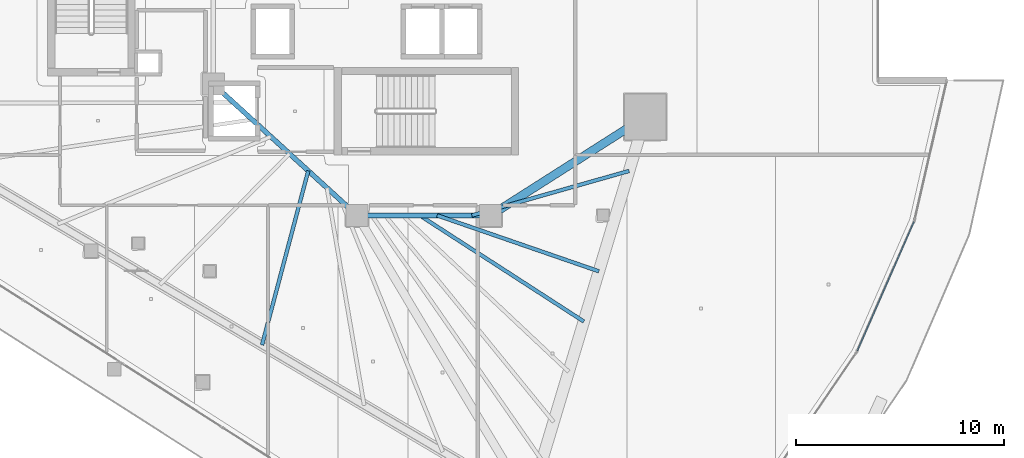
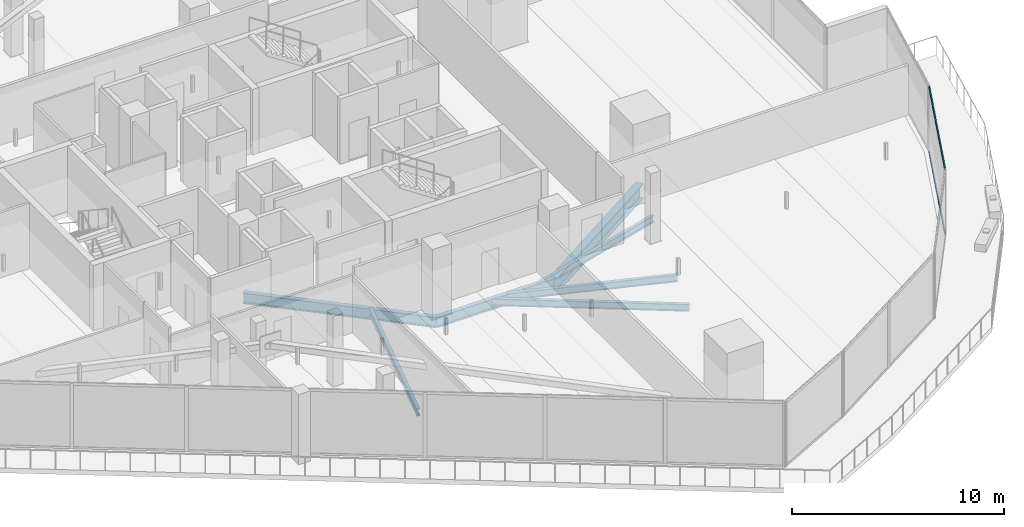
# One storey, part 11 of 45: 7 beams, 2 members, 1 element without a shape of its own.
"""IFC4 building model written with IfcOpenShell, lengths in metres."""

import ifcopenshell
import ifcopenshell.guid

model = None  # the IFC model being written
_history = None  # IfcOwnerHistory: only IFC2X3 demands one
_inside = {}  # id of a spatial element -> (the spatial element, [elements in it])
_under = {}  # id of a project, library or spatial element -> (it, [spatial elements below it])
_declared = {}  # id of a project -> (the project, [libraries it declares])
_typed = {}  # id of a type object -> (the type object, [elements of that type])
_made_of = {}  # id of a material, layer set ... -> (it, [elements and type objects made of it])


def new_model(schema):
    """Start an empty IFC model of exactly this schema.

    Asked for "IFC4X3", IfcOpenShell would pick the latest addendum, in which some entities
    have other attributes; the version numbers below select the first issue.
    IFC2X3 requires an IfcOwnerHistory on every rooted entity: one is made here for all.
    """
    global model, _history
    if schema == "IFC4X3":
        model = ifcopenshell.file(schema_version=(4, 3, 0, 0))
    else:
        model = ifcopenshell.file(schema=schema)
    _inside.clear()
    _under.clear()
    _declared.clear()
    _typed.clear()
    _made_of.clear()
    _history = None
    if model.schema == "IFC2X3":
        org = make("IfcOrganization", Name="unknown")
        user = make(
            "IfcPersonAndOrganization",
            ThePerson=make("IfcPerson", FamilyName="unknown"),
            TheOrganization=org,
        )
        app = make(
            "IfcApplication",
            ApplicationDeveloper=org,
            Version="unknown",
            ApplicationFullName="unknown",
            ApplicationIdentifier="unknown",
        )
        _history = make(
            "IfcOwnerHistory",
            OwningUser=user,
            OwningApplication=app,
            ChangeAction="ADDED",
            CreationDate=0,
        )
    return model


def make(cls, **values):
    """One entity of the class cls with the attributes given. An attribute that is None is left unset."""
    return model.create_entity(
        cls, **{name: value for name, value in values.items() if value is not None}
    )


def rooted(cls, **values):
    """An entity with a GlobalId (a new one), such as an element, a storey or a relation."""
    return make(cls, GlobalId=ifcopenshell.guid.new(), OwnerHistory=_history, **values)


def si_unit(unit_type, name, prefix=None):
    """IfcSIUnit, for example si_unit("LENGTHUNIT", "METRE", prefix="MILLI")."""
    return make("IfcSIUnit", UnitType=unit_type, Prefix=prefix, Name=name)


def assignment(units):
    """IfcUnitAssignment: the units of a project."""
    return None if units is None else make("IfcUnitAssignment", Units=units)


def point(xyz):
    """IfcCartesianPoint."""
    return None if xyz is None else make("IfcCartesianPoint", Coordinates=xyz)


def direction(xyz):
    """IfcDirection."""
    return None if xyz is None else make("IfcDirection", DirectionRatios=xyz)


def frame(location, z_axis=None, x_axis=None):
    """IfcAxis2Placement3D, a coordinate frame: its origin and axes. An axis left out is left unset."""
    return make(
        "IfcAxis2Placement3D",
        Location=point(location),
        Axis=direction(z_axis),
        RefDirection=direction(x_axis),
    )


def frame_2d(location, x_axis=None):
    """IfcAxis2Placement2D, a coordinate frame in the plane: its origin and x axis."""
    return make(
        "IfcAxis2Placement2D", Location=point(location), RefDirection=direction(x_axis)
    )


def origin():
    """The frame at (0, 0, 0) with its axes left unset."""
    return frame((0.0, 0.0, 0.0))


def origin_2d():
    """The frame at (0, 0) in the plane with its x axis left unset."""
    return frame_2d((0.0, 0.0))


def place(relative_to, where):
    """IfcLocalPlacement: puts the frame where relative to a parent placement (None: the world)."""
    return make(
        "IfcLocalPlacement", PlacementRelTo=relative_to, RelativePlacement=where
    )


def context(
    kind, dimensions, precision=None, world=None, true_north=None, identifier=None
):
    """IfcGeometricRepresentationContext, for example the 3D "Model" context."""
    return make(
        "IfcGeometricRepresentationContext",
        ContextIdentifier=identifier,
        ContextType=kind,
        CoordinateSpaceDimension=dimensions,
        Precision=precision,
        WorldCoordinateSystem=world,
        TrueNorth=true_north,
    )


def subcontext(parent, identifier, kind, view, scale=None):
    """IfcGeometricRepresentationSubContext, for example "Body" below "Model"."""
    return make(
        "IfcGeometricRepresentationSubContext",
        ContextIdentifier=identifier,
        ContextType=kind,
        ParentContext=parent,
        TargetScale=scale,
        TargetView=view,
    )


def project(units=None, contexts=None):
    """IfcProject with its units and contexts."""
    return rooted(
        "IfcProject",
        Name="project",
        RepresentationContexts=contexts,
        UnitsInContext=assignment(units),
    )


def spatial(cls, under=None, at=None, **own):
    """A site, building, storey or space (cls), placed at a placement, below another one or the project."""
    s = rooted(cls, ObjectPlacement=at, **own)
    if under is not None:
        _under.setdefault(under.id(), (under, []))[1].append(s)
    return s


def profile(cls, at=None, kind="AREA", **sizes):
    """A parametric profile (cls). Its sizes go by their IFC names, for example OverallWidth=200.0."""
    return make(cls, ProfileType=kind, Position=at, **sizes)


def hollow_rectangle(**sizes):
    """IfcRectangleHollowProfileDef."""
    return profile("IfcRectangleHollowProfileDef", **sizes)


def i_section(**sizes):
    """IfcIShapeProfileDef."""
    return profile("IfcIShapeProfileDef", **sizes)


def extrude(swept, where, along, depth):
    """IfcExtrudedAreaSolid: the profile swept, set in the frame where, extruded along a direction by depth."""
    return make(
        "IfcExtrudedAreaSolid",
        SweptArea=swept,
        Position=where,
        ExtrudedDirection=direction(along),
        Depth=depth,
    )


def shape(context_of_items, identifier, shape_type, items):
    """IfcShapeRepresentation: the items that make up one representation, for example the "Body"."""
    return make(
        "IfcShapeRepresentation",
        ContextOfItems=context_of_items,
        RepresentationIdentifier=identifier,
        RepresentationType=shape_type,
        Items=items,
    )


def material(Name=None, Category=None):
    """IfcMaterial."""
    return make("IfcMaterial", Name=Name, Category=Category)


def layer(
    of_material, thickness, ventilated=None, Name=None, Category=None, Priority=None
):
    """IfcMaterialLayer: one layer of a wall or slab, of a material (None: an air gap)."""
    return make(
        "IfcMaterialLayer",
        Material=of_material,
        LayerThickness=thickness,
        IsVentilated=ventilated,
        Name=Name,
        Category=Category,
        Priority=Priority,
    )


def layer_set(layers, Name=None):
    """IfcMaterialLayerSet."""
    return make("IfcMaterialLayerSet", MaterialLayers=layers, LayerSetName=Name)


def material_profile(
    of_material, cross_section, Name=None, Category=None, Priority=None
):
    """IfcMaterialProfile: a cross section and its material."""
    return make(
        "IfcMaterialProfile",
        Name=Name,
        Material=of_material,
        Profile=cross_section,
        Priority=Priority,
        Category=Category,
    )


def profile_set(profiles, Name=None, composite=None):
    """IfcMaterialProfileSet."""
    return make(
        "IfcMaterialProfileSet",
        Name=Name,
        MaterialProfiles=profiles,
        CompositeProfile=composite,
    )


def made_of(thing, what):
    """Note that an element or type object is made of a material, layer set ...; save() writes the relation."""
    if what is not None:
        _made_of.setdefault(what.id(), (what, []))[1].append(thing)
    return thing


def type_object(cls, material=None, **own):
    """A type object (cls), such as IfcWallType, which elements share."""
    return made_of(rooted(cls, **own), material)


def element(
    cls,
    number,
    at=None,
    inside=None,
    cuts=None,
    type_object=None,
    material=None,
    context=None,
    identifier="Body",
    shape_type=None,
    held_by="IfcProductDefinitionShape",
    body=None,
    shapes=None,
    **own,
):
    """One element of the class cls, such as IfcWall. Its Tag is "e" and its number.

    at: its placement. inside: the storey or other place that contains it. cuts: it is an
    opening in that element (IfcRelVoidsElement). A single representation is given by context,
    identifier, shape_type and body (its items); several are given by shapes. held_by: the class
    of the entity that holds the representations. save() writes the other relations.
    """
    e = rooted(cls, Tag="e%d" % number, ObjectPlacement=at, **own)
    if body is not None:
        shapes = [shape(context, identifier, shape_type, body)]
    if shapes is not None:
        e.Representation = make(held_by, Representations=shapes)
    if inside is not None:
        _inside.setdefault(inside.id(), (inside, []))[1].append(e)
    if cuts is not None:
        rooted(
            "IfcRelVoidsElement", RelatingBuildingElement=cuts, RelatedOpeningElement=e
        )
    if type_object is not None:
        _typed.setdefault(type_object.id(), (type_object, []))[1].append(e)
    return made_of(e, material)


def aggregate(whole, parts):
    """IfcRelAggregates: a whole, such as a stair, and the parts it consists of."""
    return rooted("IfcRelAggregates", RelatingObject=whole, RelatedObjects=parts)


def save(model, path):
    """Write the relations noted so far, then the file.

    IfcRelAggregates (storeys below a building ...), IfcRelContainedInSpatialStructure (elements
    in a storey), IfcRelDefinesByType, IfcRelAssociatesMaterial and IfcRelDeclares: one each for
    every whole, place, type object, material and project.
    """
    for whole, parts in _under.values():
        aggregate(whole, parts)
    for where, things in _inside.values():
        rooted(
            "IfcRelContainedInSpatialStructure",
            RelatedElements=things,
            RelatingStructure=where,
        )
    for kind, things in _typed.values():
        rooted("IfcRelDefinesByType", RelatedObjects=things, RelatingType=kind)
    for what, things in _made_of.values():
        rooted("IfcRelAssociatesMaterial", RelatedObjects=things, RelatingMaterial=what)
    for by, libraries in _declared.values():
        rooted("IfcRelDeclares", RelatingContext=by, RelatedDefinitions=libraries)
    model.write(path)


model = new_model("IFC4")

# Units and contexts
model_context = context("Model", 3, precision=1e-05, world=origin(), true_north=direction((0.0, 1.0)))
body_context = subcontext(model_context, "Body", "Model", "MODEL_VIEW")
ifc_project = project(units=[si_unit("LENGTHUNIT", "METRE"), si_unit("AREAUNIT", "SQUARE_METRE"), si_unit("VOLUMEUNIT", "CUBIC_METRE"), si_unit("PLANEANGLEUNIT", "RADIAN"), si_unit("MASSUNIT", "GRAM", prefix="KILO")], contexts=[model_context])

# Site, building, storey
site_placement = place(None, origin())
site = spatial("IfcSite", under=ifc_project, at=site_placement, CompositionType="ELEMENT")
building_placement = place(site_placement, origin())
building = spatial("IfcBuilding", under=site, at=building_placement, Name="Qorvath Tower", CompositionType="ELEMENT")
storey_placement = place(building_placement, frame((0.0, 0.0, 126.0)))
storey = spatial("IfcBuildingStorey", under=building, at=storey_placement, Name="L28", CompositionType="ELEMENT", Elevation=126.0)

# Beams
ifc_material_1 = material(Name="Steel ASTM A992 Grade 50", Category="steel")
ifc_material_profile_1 = material_profile(ifc_material_1, i_section(OverallWidth=0.39892578125, OverallDepth=0.85498046875, WebThickness=0.018310546875, FlangeThickness=0.029296875, FilletRadius=0.02001953125, at=origin_2d()), Name="W33x201")
ifc_profile_set_1 = profile_set([ifc_material_profile_1], Name="Steel ASTM A992 Grade 50")
beam_type_1 = type_object("IfcBeamType", Name="BM-FG2", PredefinedType="BEAM", material=ifc_profile_set_1)
beam_1_placement = place(storey_placement, frame((-17.199951171875, -11.449951171875, -0.70751953125), z_axis=(0.843634090834, 0.536918542037, 0.0), x_axis=(-0.536918542037, 0.843634090834, 0.0)))
element("IfcBeam", 1, at=beam_1_placement, inside=storey, type_object=beam_type_1, Name="Radial Floor Girder CC3-MC4 L28", PredefinedType="BEAM", context=body_context, shape_type="SweptSolid", body=[
    extrude(i_section(OverallWidth=0.39892578125, OverallDepth=0.85498046875, WebThickness=0.018310546875, FlangeThickness=0.029296875, FilletRadius=0.02001953125, at=origin_2d()), origin(), (0.0, 0.0, 1.0), 8.806884765625),
])
ifc_material_2 = material(Name="Steel ASTM A992 Grade 50", Category="steel")
ifc_material_profile_2 = material_profile(ifc_material_2, i_section(OverallWidth=0.22998046875, OverallDepth=0.616943359375, WebThickness=0.01318359375, FlangeThickness=0.022216796875, FilletRadius=0.014892578125, at=origin_2d()), Name="W24x94")
ifc_profile_set_2 = profile_set([ifc_material_profile_2], Name="Steel ASTM A992 Grade 50")
beam_type_2 = type_object("IfcBeamType", Name="BM-FG6", PredefinedType="BEAM", material=ifc_profile_set_2)
beam_2_placement = place(storey_placement, frame((-17.199951171875, -11.449951171875, -0.58837890625), z_axis=(-1.0, 0.0, 0.0), x_axis=(0.0, -1.0, 0.0)))
element("IfcBeam", 2, at=beam_2_placement, inside=storey, type_object=beam_type_2, Name="Core Ring Girder CC3-CC4 L28", PredefinedType="BEAM", context=body_context, shape_type="SweptSolid", body=[
    extrude(i_section(OverallWidth=0.22998046875, OverallDepth=0.616943359375, WebThickness=0.01318359375, FlangeThickness=0.022216796875, FilletRadius=0.014892578125, at=origin_2d()), origin(), (0.0, 0.0, 1.0), 6.400146484375),
])
beam_3_placement = place(storey_placement, frame((-23.60009765625, -11.449951171875, -0.58837890625), z_axis=(-0.73847813985, 0.6742774184, 0.0), x_axis=(-0.6742774184, -0.73847813985, 0.0)))
element("IfcBeam", 3, at=beam_3_placement, inside=storey, type_object=beam_type_2, Name="Core Ring Girder CC4-CC6 L28", PredefinedType="BEAM", context=body_context, shape_type="SweptSolid", body=[
    extrude(i_section(OverallWidth=0.22998046875, OverallDepth=0.616943359375, WebThickness=0.01318359375, FlangeThickness=0.022216796875, FilletRadius=0.014892578125, at=origin_2d()), origin(), (0.0, 0.0, 1.0), 9.343505859375),
])
ifc_material_3 = material(Name="Steel ASTM A992 Grade 50", Category="steel")
ifc_material_profile_3 = material_profile(ifc_material_3, i_section(OverallWidth=0.177978515625, OverallDepth=0.406005859375, WebThickness=0.0078125, FlangeThickness=0.0126953125, FilletRadius=0.010986328125, at=origin_2d()), Name="W16x40")
ifc_profile_set_3 = profile_set([ifc_material_profile_3], Name="Steel ASTM A992 Grade 50")
beam_type_3 = type_object("IfcBeamType", Name="BM-FJ3", PredefinedType="JOIST", material=ifc_profile_set_3)
beam_4_placement = place(storey_placement, frame((-18.095947265625, -11.449951171875, -0.48291015625), z_axis=(0.962222206221, 0.272265359264, 0.0), x_axis=(-0.272265359264, 0.962222206221, 0.0)))
element("IfcBeam", 4, at=beam_4_placement, inside=storey, type_object=beam_type_3, Name="Composite Floor Joist SE1 L28", PredefinedType="JOIST", context=body_context, shape_type="SweptSolid", body=[
    extrude(i_section(OverallWidth=0.177978515625, OverallDepth=0.406005859375, WebThickness=0.0078125, FlangeThickness=0.0126953125, FilletRadius=0.010986328125, at=origin_2d()), origin(), (0.0, 0.0, 1.0), 7.841552734375),
])
beam_5_placement = place(storey_placement, frame((-19.760009765625, -11.449951171875, -0.48291015625), z_axis=(0.945168345309, -0.326583525342, 0.0), x_axis=(0.326583525342, 0.945168345309, 0.0)))
element("IfcBeam", 5, at=beam_5_placement, inside=storey, type_object=beam_type_3, Name="Composite Floor Joist SE3 L28", PredefinedType="JOIST", context=body_context, shape_type="SweptSolid", body=[
    extrude(i_section(OverallWidth=0.177978515625, OverallDepth=0.406005859375, WebThickness=0.0078125, FlangeThickness=0.0126953125, FilletRadius=0.010986328125, at=origin_2d()), origin(), (0.0, 0.0, 1.0), 8.21044921875),
])
beam_6_placement = place(storey_placement, frame((-20.592041015625, -11.449951171875, -0.48291015625), z_axis=(0.839630966809, -0.543157288062, 0.0), x_axis=(0.543157288062, 0.839630966809, 0.0)))
element("IfcBeam", 6, at=beam_6_placement, inside=storey, type_object=beam_type_3, Name="Composite Floor Joist SE4 L28", PredefinedType="JOIST", context=body_context, shape_type="SweptSolid", body=[
    extrude(i_section(OverallWidth=0.177978515625, OverallDepth=0.406005859375, WebThickness=0.0078125, FlangeThickness=0.0126953125, FilletRadius=0.010986328125, at=origin_2d()), origin(), (0.0, 0.0, 1.0), 9.370361328125),
])
beam_7_placement = place(storey_placement, frame((-25.946044921875, -9.30810546875, -0.48291015625), z_axis=(-0.256507909517, -0.966542131702, 0.0), x_axis=(0.966542131702, -0.256507909517, 0.0)))
element("IfcBeam", 7, at=beam_7_placement, inside=storey, type_object=beam_type_3, Name="Composite Floor Joist SW5 L28", PredefinedType="JOIST", context=body_context, shape_type="SweptSolid", body=[
    extrude(i_section(OverallWidth=0.177978515625, OverallDepth=0.406005859375, WebThickness=0.0078125, FlangeThickness=0.0126953125, FilletRadius=0.010986328125, at=origin_2d()), origin(), (0.0, 0.0, 1.0), 8.64697265625),
])

# Curtain wall, members
ifc_material_4 = material(Name="Anodised aluminium and triple low-E glass", Category="aluminium")
ifc_layer = layer(ifc_material_4, 0.179931640625)
ifc_layer_set = layer_set([ifc_layer], Name="CW-SYS-2")
curtain_wall_type = type_object("IfcCurtainWallType", Name="CW-SYS-2", PredefinedType="NOTDEFINED", material=ifc_layer_set)
curtain_wall_placement = place(storey_placement, origin())
curtain_wall = element("IfcCurtainWall", 8, at=curtain_wall_placement, inside=storey, type_object=curtain_wall_type, Name="Curtain Wall CW-2 CW-T-L28-6.1", PredefinedType="NOTDEFINED")
ifc_material_5 = material(Name="Anodised aluminium 6063-T6", Category="aluminium")
ifc_material_profile_4 = material_profile(ifc_material_5, hollow_rectangle(XDim=0.06494140625, YDim=0.159912109375, WallThickness=0.00341796875, InnerFilletRadius=0.00341796875, OuterFilletRadius=0.007080078125, at=origin_2d()), Name="CWT 160x65")
ifc_profile_set_4 = profile_set([ifc_material_profile_4], Name="Anodised aluminium 6063-T6")
member_type = type_object("IfcMemberType", Name="CWT-160", PredefinedType="USERDEFINED", material=ifc_profile_set_4)
member_1_placement = place(storey_placement, frame((0.3984375, -17.952880859375, 0.032470703125), z_axis=(0.40165088522, 0.91579286217, 0.0), x_axis=(-0.91579286217, 0.40165088522, 0.0)))
member_1 = element("IfcMember", 9, at=member_1_placement, type_object=member_type, Name="CW-2 transom 1.1", ObjectType="TRANSOM", PredefinedType="USERDEFINED", context=body_context, shape_type="SweptSolid", body=[
    extrude(hollow_rectangle(XDim=0.06494140625, YDim=0.159912109375, WallThickness=0.00341796875, InnerFilletRadius=0.00341796875, OuterFilletRadius=0.007080078125, at=origin_2d()), origin(), (0.0, 0.0, 1.0), 6.771484375),
])
member_2_placement = place(storey_placement, frame((0.3984375, -17.952880859375, 3.737548828125), z_axis=(0.40165088522, 0.91579286217, 0.0), x_axis=(-0.91579286217, 0.40165088522, 0.0)))
member_2 = element("IfcMember", 10, at=member_2_placement, type_object=member_type, Name="CW-2 transom 1.2", ObjectType="TRANSOM", PredefinedType="USERDEFINED", context=body_context, shape_type="SweptSolid", body=[
    extrude(hollow_rectangle(XDim=0.06494140625, YDim=0.159912109375, WallThickness=0.00341796875, InnerFilletRadius=0.00341796875, OuterFilletRadius=0.007080078125, at=origin_2d()), origin(), (0.0, 0.0, 1.0), 6.771484375),
])
aggregate(curtain_wall, [member_1, member_2])

save(model, "model.ifc")
